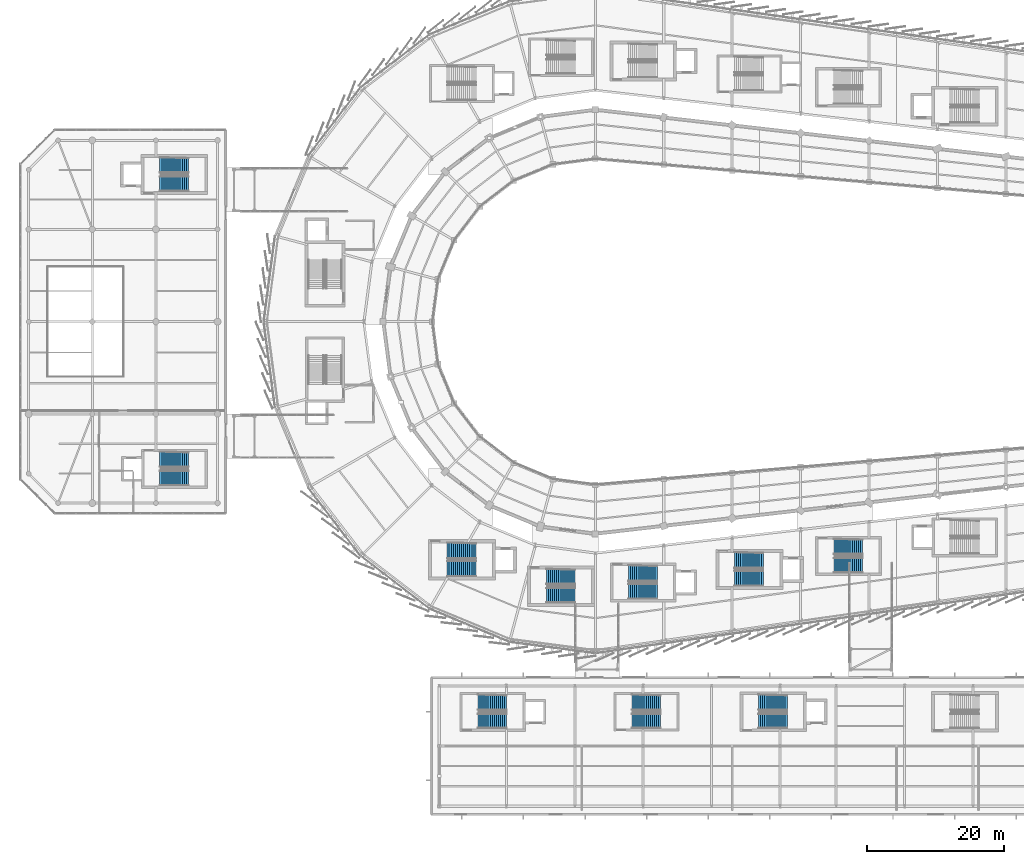
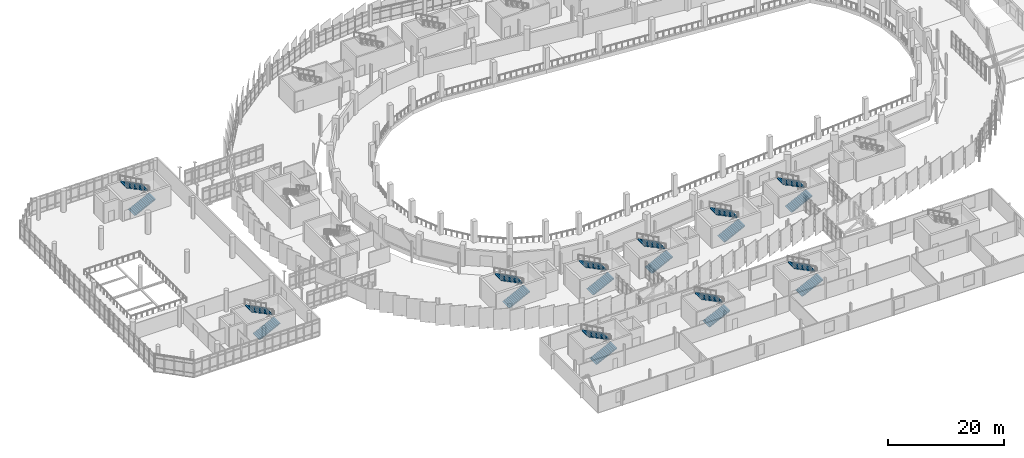
# One storey, part 110 of 125: 20 stair flights, 10 elements without a shape of their own.
"""IFC4 building model written with IfcOpenShell, lengths in metres."""

from ifc_helpers import new_model, si_unit, direction, frame, origin, place, context, subcontext, project, spatial, polyline, outline, extrude, material, type_object, element, aggregate, save


model = new_model("IFC4")

# Units and contexts
model_context = context("Model", 3, precision=1e-05, world=origin(), true_north=direction((0.0, 1.0)))
body_context = subcontext(model_context, "Body", "Model", "MODEL_VIEW")
ifc_project = project(units=[si_unit("LENGTHUNIT", "METRE"), si_unit("AREAUNIT", "SQUARE_METRE"), si_unit("VOLUMEUNIT", "CUBIC_METRE"), si_unit("PLANEANGLEUNIT", "RADIAN"), si_unit("MASSUNIT", "GRAM", prefix="KILO")], contexts=[model_context])

# Site, building, storey
site_placement = place(None, origin())
site = spatial("IfcSite", under=ifc_project, at=site_placement, CompositionType="ELEMENT")
building_placement = place(site_placement, origin())
building = spatial("IfcBuilding", under=site, at=building_placement, Name="Sohan Crest Arena", CompositionType="ELEMENT")
storey_placement = place(building_placement, frame((0.0, 0.0, 9.0)))
storey = spatial("IfcBuildingStorey", under=building, at=storey_placement, Name="L02", CompositionType="ELEMENT", Elevation=9.0)

# Stair, stair flights
ifc_material = material(Name="Concrete C40/50", Category="concrete")
stair_type_1 = type_object("IfcStairType", Name="ST-450W", PredefinedType="TWO_STRAIGHT_RUN_STAIR", material=ifc_material)
stair_1_placement = place(storey_placement, origin())
stair_1 = element("IfcStair", 1, at=stair_1_placement, inside=storey, type_object=stair_type_1, Name="Protected exit stair ST12-L02", PredefinedType="TWO_STRAIGHT_RUN_STAIR")
stair_flight_type_1 = type_object("IfcStairFlightType", Name="FL-220-15", PredefinedType="STRAIGHT", material=ifc_material)
stair_flight_1_placement = place(storey_placement, frame((103.35009765625, 19.64990234375, 0.0), z_axis=(0.0, 0.0, 1.0), x_axis=(1.0, 0.0, 0.0)))
stair_flight_1 = element("IfcStairFlight", 2, at=stair_flight_1_placement, type_object=stair_flight_type_1, Name="ST12-L02 flight 1", NumberOfRisers=15, NumberOfTreads=14, PredefinedType="STRAIGHT", RiserHeight=0.15, TreadLength=0.3, context=body_context, shape_type="SweptSolid", body=[
    extrude(outline(polyline([(0.0, 0.0), (0.0, 0.14990234375), (0.300048828125, 0.14990234375), (0.300048828125, 0.300048828125), (0.60009765625, 0.300048828125), (0.60009765625, 0.449951171875), (0.89990234375, 0.449951171875), (0.89990234375, 0.60009765625), (1.199951171875, 0.60009765625), (1.199951171875, 0.75), (1.5, 0.75), (1.5, 0.89990234375), (1.800048828125, 0.89990234375), (1.800048828125, 1.050048828125), (2.10009765625, 1.050048828125), (2.10009765625, 1.199951171875), (2.39990234375, 1.199951171875), (2.39990234375, 1.35009765625), (2.699951171875, 1.35009765625), (2.699951171875, 1.5), (3.0, 1.5), (3.0, 1.64990234375), (3.300048828125, 1.64990234375), (3.300048828125, 1.800048828125), (3.60009765625, 1.800048828125), (3.60009765625, 1.949951171875), (3.89990234375, 1.949951171875), (3.89990234375, 2.10009765625), (4.199951171875, 2.10009765625), (4.199951171875, 2.25), (4.199951171875, 1.932373046875), (0.335205078125, 0.0), (0.0, 0.0)])), frame((0.0, 1.10009765625, 0.0), z_axis=(0.0, -1.0, 0.0), x_axis=(1.0, 0.0, 0.0)), (0.0, 0.0, 1.0), 2.199951171875),
])
stair_flight_2_placement = place(storey_placement, frame((107.550048828125, 22.35009765625, 2.25), z_axis=(0.0, 0.0, 1.0), x_axis=(-1.0, 0.0, 0.0)))
stair_flight_2 = element("IfcStairFlight", 3, at=stair_flight_2_placement, type_object=stair_flight_type_1, Name="ST12-L02 flight 2", NumberOfRisers=15, NumberOfTreads=14, PredefinedType="STRAIGHT", RiserHeight=0.15, TreadLength=0.3, context=body_context, shape_type="SweptSolid", body=[
    extrude(outline(polyline([(0.0, 0.0), (0.0, 0.14990234375), (0.300048828125, 0.14990234375), (0.300048828125, 0.300048828125), (0.60009765625, 0.300048828125), (0.60009765625, 0.449951171875), (0.89990234375, 0.449951171875), (0.89990234375, 0.60009765625), (1.199951171875, 0.60009765625), (1.199951171875, 0.75), (1.5, 0.75), (1.5, 0.89990234375), (1.800048828125, 0.89990234375), (1.800048828125, 1.050048828125), (2.10009765625, 1.050048828125), (2.10009765625, 1.199951171875), (2.39990234375, 1.199951171875), (2.39990234375, 1.35009765625), (2.699951171875, 1.35009765625), (2.699951171875, 1.5), (3.0, 1.5), (3.0, 1.64990234375), (3.300048828125, 1.64990234375), (3.300048828125, 1.800048828125), (3.60009765625, 1.800048828125), (3.60009765625, 1.949951171875), (3.89990234375, 1.949951171875), (3.89990234375, 2.10009765625), (4.199951171875, 2.10009765625), (4.199951171875, 2.25), (4.199951171875, 1.932373046875), (0.335205078125, 0.0), (0.0, 0.0)])), frame((0.0, 1.10009765625, 0.0), z_axis=(0.0, -1.0, 0.0), x_axis=(1.0, 0.0, 0.0)), (0.0, 0.0, 1.0), 2.199951171875),
])
aggregate(stair_1, [stair_flight_1, stair_flight_2])

stair_2_placement = place(storey_placement, origin())
stair_2 = element("IfcStair", 4, at=stair_2_placement, inside=storey, type_object=stair_type_1, Name="Protected exit stair ST13-L02", PredefinedType="TWO_STRAIGHT_RUN_STAIR")
stair_flight_3_placement = place(storey_placement, frame((34.35009765625, 55.14990234375, 0.0), z_axis=(0.0, 0.0, 1.0), x_axis=(1.0, 0.0, 0.0)))
stair_flight_3 = element("IfcStairFlight", 5, at=stair_flight_3_placement, type_object=stair_flight_type_1, Name="ST13-L02 flight 1", NumberOfRisers=15, NumberOfTreads=14, PredefinedType="STRAIGHT", RiserHeight=0.15, TreadLength=0.3, context=body_context, shape_type="SweptSolid", body=[
    extrude(outline(polyline([(0.0, 0.0), (0.0, 0.14990234375), (0.300048828125, 0.14990234375), (0.300048828125, 0.300048828125), (0.60009765625, 0.300048828125), (0.60009765625, 0.449951171875), (0.89990234375, 0.449951171875), (0.89990234375, 0.60009765625), (1.199951171875, 0.60009765625), (1.199951171875, 0.75), (1.5, 0.75), (1.5, 0.89990234375), (1.800048828125, 0.89990234375), (1.800048828125, 1.050048828125), (2.10009765625, 1.050048828125), (2.10009765625, 1.199951171875), (2.39990234375, 1.199951171875), (2.39990234375, 1.35009765625), (2.699951171875, 1.35009765625), (2.699951171875, 1.5), (3.0, 1.5), (3.0, 1.64990234375), (3.300048828125, 1.64990234375), (3.300048828125, 1.800048828125), (3.60009765625, 1.800048828125), (3.60009765625, 1.949951171875), (3.89990234375, 1.949951171875), (3.89990234375, 2.10009765625), (4.199951171875, 2.10009765625), (4.199951171875, 2.25), (4.199951171875, 1.932373046875), (0.335205078125, 0.0), (0.0, 0.0)])), frame((0.0, 1.10009765625, 0.0), z_axis=(0.0, -1.0, 0.0), x_axis=(1.0, 0.0, 0.0)), (0.0, 0.0, 1.0), 2.199951171875),
])
stair_flight_4_placement = place(storey_placement, frame((38.550048828125, 57.85009765625, 2.25), z_axis=(0.0, 0.0, 1.0), x_axis=(-1.0, 0.0, 0.0)))
stair_flight_4 = element("IfcStairFlight", 6, at=stair_flight_4_placement, type_object=stair_flight_type_1, Name="ST13-L02 flight 2", NumberOfRisers=15, NumberOfTreads=14, PredefinedType="STRAIGHT", RiserHeight=0.15, TreadLength=0.3, context=body_context, shape_type="SweptSolid", body=[
    extrude(outline(polyline([(0.0, 0.0), (0.0, 0.14990234375), (0.300048828125, 0.14990234375), (0.300048828125, 0.300048828125), (0.60009765625, 0.300048828125), (0.60009765625, 0.449951171875), (0.89990234375, 0.449951171875), (0.89990234375, 0.60009765625), (1.199951171875, 0.60009765625), (1.199951171875, 0.75), (1.5, 0.75), (1.5, 0.89990234375), (1.800048828125, 0.89990234375), (1.800048828125, 1.050048828125), (2.10009765625, 1.050048828125), (2.10009765625, 1.199951171875), (2.39990234375, 1.199951171875), (2.39990234375, 1.35009765625), (2.699951171875, 1.35009765625), (2.699951171875, 1.5), (3.0, 1.5), (3.0, 1.64990234375), (3.300048828125, 1.64990234375), (3.300048828125, 1.800048828125), (3.60009765625, 1.800048828125), (3.60009765625, 1.949951171875), (3.89990234375, 1.949951171875), (3.89990234375, 2.10009765625), (4.199951171875, 2.10009765625), (4.199951171875, 2.25), (4.199951171875, 1.932373046875), (0.335205078125, 0.0), (0.0, 0.0)])), frame((0.0, 1.10009765625, 0.0), z_axis=(0.0, -1.0, 0.0), x_axis=(1.0, 0.0, 0.0)), (0.0, 0.0, 1.0), 2.199951171875),
])
aggregate(stair_2, [stair_flight_3, stair_flight_4])

stair_3_placement = place(storey_placement, origin())
stair_3 = element("IfcStair", 7, at=stair_3_placement, inside=storey, type_object=stair_type_1, Name="Protected exit stair ST14-L02", PredefinedType="TWO_STRAIGHT_RUN_STAIR")
stair_flight_5_placement = place(storey_placement, frame((34.35009765625, 98.14990234375, 0.0), z_axis=(0.0, 0.0, 1.0), x_axis=(1.0, 0.0, 0.0)))
stair_flight_5 = element("IfcStairFlight", 8, at=stair_flight_5_placement, type_object=stair_flight_type_1, Name="ST14-L02 flight 1", NumberOfRisers=15, NumberOfTreads=14, PredefinedType="STRAIGHT", RiserHeight=0.15, TreadLength=0.3, context=body_context, shape_type="SweptSolid", body=[
    extrude(outline(polyline([(0.0, 0.0), (0.0, 0.14990234375), (0.300048828125, 0.14990234375), (0.300048828125, 0.300048828125), (0.60009765625, 0.300048828125), (0.60009765625, 0.449951171875), (0.89990234375, 0.449951171875), (0.89990234375, 0.60009765625), (1.199951171875, 0.60009765625), (1.199951171875, 0.75), (1.5, 0.75), (1.5, 0.89990234375), (1.800048828125, 0.89990234375), (1.800048828125, 1.050048828125), (2.10009765625, 1.050048828125), (2.10009765625, 1.199951171875), (2.39990234375, 1.199951171875), (2.39990234375, 1.35009765625), (2.699951171875, 1.35009765625), (2.699951171875, 1.5), (3.0, 1.5), (3.0, 1.64990234375), (3.300048828125, 1.64990234375), (3.300048828125, 1.800048828125), (3.60009765625, 1.800048828125), (3.60009765625, 1.949951171875), (3.89990234375, 1.949951171875), (3.89990234375, 2.10009765625), (4.199951171875, 2.10009765625), (4.199951171875, 2.25), (4.199951171875, 1.932373046875), (0.335205078125, 0.0), (0.0, 0.0)])), frame((0.0, 1.10009765625, 0.0), z_axis=(0.0, -1.0, 0.0), x_axis=(1.0, 0.0, 0.0)), (0.0, 0.0, 1.0), 2.199951171875),
])
stair_flight_6_placement = place(storey_placement, frame((38.550048828125, 100.85009765625, 2.25), z_axis=(0.0, 0.0, 1.0), x_axis=(-1.0, 0.0, 0.0)))
stair_flight_6 = element("IfcStairFlight", 9, at=stair_flight_6_placement, type_object=stair_flight_type_1, Name="ST14-L02 flight 2", NumberOfRisers=15, NumberOfTreads=14, PredefinedType="STRAIGHT", RiserHeight=0.15, TreadLength=0.3, context=body_context, shape_type="SweptSolid", body=[
    extrude(outline(polyline([(0.0, 0.0), (0.0, 0.14990234375), (0.300048828125, 0.14990234375), (0.300048828125, 0.300048828125), (0.60009765625, 0.300048828125), (0.60009765625, 0.449951171875), (0.89990234375, 0.449951171875), (0.89990234375, 0.60009765625), (1.199951171875, 0.60009765625), (1.199951171875, 0.75), (1.5, 0.75), (1.5, 0.89990234375), (1.800048828125, 0.89990234375), (1.800048828125, 1.050048828125), (2.10009765625, 1.050048828125), (2.10009765625, 1.199951171875), (2.39990234375, 1.199951171875), (2.39990234375, 1.35009765625), (2.699951171875, 1.35009765625), (2.699951171875, 1.5), (3.0, 1.5), (3.0, 1.64990234375), (3.300048828125, 1.64990234375), (3.300048828125, 1.800048828125), (3.60009765625, 1.800048828125), (3.60009765625, 1.949951171875), (3.89990234375, 1.949951171875), (3.89990234375, 2.10009765625), (4.199951171875, 2.10009765625), (4.199951171875, 2.25), (4.199951171875, 1.932373046875), (0.335205078125, 0.0), (0.0, 0.0)])), frame((0.0, 1.10009765625, 0.0), z_axis=(0.0, -1.0, 0.0), x_axis=(1.0, 0.0, 0.0)), (0.0, 0.0, 1.0), 2.199951171875),
])
aggregate(stair_3, [stair_flight_5, stair_flight_6])

stair_4_placement = place(storey_placement, origin())
stair_4 = element("IfcStair", 10, at=stair_4_placement, inside=storey, type_object=stair_type_1, Name="Protected exit stair ST17-L02", PredefinedType="TWO_STRAIGHT_RUN_STAIR")
stair_flight_7_placement = place(storey_placement, frame((80.85009765625, 19.64990234375, 0.0), z_axis=(0.0, 0.0, 1.0), x_axis=(1.0, 0.0, 0.0)))
stair_flight_7 = element("IfcStairFlight", 11, at=stair_flight_7_placement, type_object=stair_flight_type_1, Name="ST17-L02 flight 1", NumberOfRisers=15, NumberOfTreads=14, PredefinedType="STRAIGHT", RiserHeight=0.15, TreadLength=0.3, context=body_context, shape_type="SweptSolid", body=[
    extrude(outline(polyline([(0.0, 0.0), (0.0, 0.14990234375), (0.300048828125, 0.14990234375), (0.300048828125, 0.300048828125), (0.60009765625, 0.300048828125), (0.60009765625, 0.449951171875), (0.89990234375, 0.449951171875), (0.89990234375, 0.60009765625), (1.199951171875, 0.60009765625), (1.199951171875, 0.75), (1.5, 0.75), (1.5, 0.89990234375), (1.800048828125, 0.89990234375), (1.800048828125, 1.050048828125), (2.10009765625, 1.050048828125), (2.10009765625, 1.199951171875), (2.39990234375, 1.199951171875), (2.39990234375, 1.35009765625), (2.699951171875, 1.35009765625), (2.699951171875, 1.5), (3.0, 1.5), (3.0, 1.64990234375), (3.300048828125, 1.64990234375), (3.300048828125, 1.800048828125), (3.60009765625, 1.800048828125), (3.60009765625, 1.949951171875), (3.89990234375, 1.949951171875), (3.89990234375, 2.10009765625), (4.199951171875, 2.10009765625), (4.199951171875, 2.25), (4.199951171875, 1.932373046875), (0.335205078125, 0.0), (0.0, 0.0)])), frame((0.0, 1.10009765625, 0.0), z_axis=(0.0, -1.0, 0.0), x_axis=(1.0, 0.0, 0.0)), (0.0, 0.0, 1.0), 2.199951171875),
])
stair_flight_8_placement = place(storey_placement, frame((85.050048828125, 22.35009765625, 2.25), z_axis=(0.0, 0.0, 1.0), x_axis=(-1.0, 0.0, 0.0)))
stair_flight_8 = element("IfcStairFlight", 12, at=stair_flight_8_placement, type_object=stair_flight_type_1, Name="ST17-L02 flight 2", NumberOfRisers=15, NumberOfTreads=14, PredefinedType="STRAIGHT", RiserHeight=0.15, TreadLength=0.3, context=body_context, shape_type="SweptSolid", body=[
    extrude(outline(polyline([(0.0, 0.0), (0.0, 0.14990234375), (0.300048828125, 0.14990234375), (0.300048828125, 0.300048828125), (0.60009765625, 0.300048828125), (0.60009765625, 0.449951171875), (0.89990234375, 0.449951171875), (0.89990234375, 0.60009765625), (1.199951171875, 0.60009765625), (1.199951171875, 0.75), (1.5, 0.75), (1.5, 0.89990234375), (1.800048828125, 0.89990234375), (1.800048828125, 1.050048828125), (2.10009765625, 1.050048828125), (2.10009765625, 1.199951171875), (2.39990234375, 1.199951171875), (2.39990234375, 1.35009765625), (2.699951171875, 1.35009765625), (2.699951171875, 1.5), (3.0, 1.5), (3.0, 1.64990234375), (3.300048828125, 1.64990234375), (3.300048828125, 1.800048828125), (3.60009765625, 1.800048828125), (3.60009765625, 1.949951171875), (3.89990234375, 1.949951171875), (3.89990234375, 2.10009765625), (4.199951171875, 2.10009765625), (4.199951171875, 2.25), (4.199951171875, 1.932373046875), (0.335205078125, 0.0), (0.0, 0.0)])), frame((0.0, 1.10009765625, 0.0), z_axis=(0.0, -1.0, 0.0), x_axis=(1.0, 0.0, 0.0)), (0.0, 0.0, 1.0), 2.199951171875),
])
aggregate(stair_4, [stair_flight_7, stair_flight_8])

stair_5_placement = place(storey_placement, origin())
stair_5 = element("IfcStair", 13, at=stair_5_placement, inside=storey, type_object=stair_type_1, Name="Protected exit stair ST18-L02", PredefinedType="TWO_STRAIGHT_RUN_STAIR")
stair_flight_9_placement = place(storey_placement, frame((121.85009765625, 19.64990234375, 0.0), z_axis=(0.0, 0.0, 1.0), x_axis=(1.0, 0.0, 0.0)))
stair_flight_9 = element("IfcStairFlight", 14, at=stair_flight_9_placement, type_object=stair_flight_type_1, Name="ST18-L02 flight 1", NumberOfRisers=15, NumberOfTreads=14, PredefinedType="STRAIGHT", RiserHeight=0.15, TreadLength=0.3, context=body_context, shape_type="SweptSolid", body=[
    extrude(outline(polyline([(0.0, 0.0), (0.0, 0.14990234375), (0.300048828125, 0.14990234375), (0.300048828125, 0.300048828125), (0.60009765625, 0.300048828125), (0.60009765625, 0.449951171875), (0.89990234375, 0.449951171875), (0.89990234375, 0.60009765625), (1.199951171875, 0.60009765625), (1.199951171875, 0.75), (1.5, 0.75), (1.5, 0.89990234375), (1.800048828125, 0.89990234375), (1.800048828125, 1.050048828125), (2.10009765625, 1.050048828125), (2.10009765625, 1.199951171875), (2.39990234375, 1.199951171875), (2.39990234375, 1.35009765625), (2.699951171875, 1.35009765625), (2.699951171875, 1.5), (3.0, 1.5), (3.0, 1.64990234375), (3.300048828125, 1.64990234375), (3.300048828125, 1.800048828125), (3.60009765625, 1.800048828125), (3.60009765625, 1.949951171875), (3.89990234375, 1.949951171875), (3.89990234375, 2.10009765625), (4.199951171875, 2.10009765625), (4.199951171875, 2.25), (4.199951171875, 1.932373046875), (0.335205078125, 0.0), (0.0, 0.0)])), frame((0.0, 1.10009765625, 0.0), z_axis=(0.0, -1.0, 0.0), x_axis=(1.0, 0.0, 0.0)), (0.0, 0.0, 1.0), 2.199951171875),
])
stair_flight_10_placement = place(storey_placement, frame((126.050048828125, 22.35009765625, 2.25), z_axis=(0.0, 0.0, 1.0), x_axis=(-1.0, 0.0, 0.0)))
stair_flight_10 = element("IfcStairFlight", 15, at=stair_flight_10_placement, type_object=stair_flight_type_1, Name="ST18-L02 flight 2", NumberOfRisers=15, NumberOfTreads=14, PredefinedType="STRAIGHT", RiserHeight=0.15, TreadLength=0.3, context=body_context, shape_type="SweptSolid", body=[
    extrude(outline(polyline([(0.0, 0.0), (0.0, 0.14990234375), (0.300048828125, 0.14990234375), (0.300048828125, 0.300048828125), (0.60009765625, 0.300048828125), (0.60009765625, 0.449951171875), (0.89990234375, 0.449951171875), (0.89990234375, 0.60009765625), (1.199951171875, 0.60009765625), (1.199951171875, 0.75), (1.5, 0.75), (1.5, 0.89990234375), (1.800048828125, 0.89990234375), (1.800048828125, 1.050048828125), (2.10009765625, 1.050048828125), (2.10009765625, 1.199951171875), (2.39990234375, 1.199951171875), (2.39990234375, 1.35009765625), (2.699951171875, 1.35009765625), (2.699951171875, 1.5), (3.0, 1.5), (3.0, 1.64990234375), (3.300048828125, 1.64990234375), (3.300048828125, 1.800048828125), (3.60009765625, 1.800048828125), (3.60009765625, 1.949951171875), (3.89990234375, 1.949951171875), (3.89990234375, 2.10009765625), (4.199951171875, 2.10009765625), (4.199951171875, 2.25), (4.199951171875, 1.932373046875), (0.335205078125, 0.0), (0.0, 0.0)])), frame((0.0, 1.10009765625, 0.0), z_axis=(0.0, -1.0, 0.0), x_axis=(1.0, 0.0, 0.0)), (0.0, 0.0, 1.0), 2.199951171875),
])
aggregate(stair_5, [stair_flight_9, stair_flight_10])

stair_6_placement = place(storey_placement, origin())
stair_6 = element("IfcStair", 16, at=stair_6_placement, inside=storey, type_object=stair_type_1, Name="Protected exit stair ST19-L02", PredefinedType="TWO_STRAIGHT_RUN_STAIR")
stair_flight_11_placement = place(storey_placement, frame((90.85009765625, 38.010009765625, 0.0), z_axis=(0.0, 0.0, 1.0), x_axis=(1.0, 0.0, 0.0)))
stair_flight_11 = element("IfcStairFlight", 17, at=stair_flight_11_placement, type_object=stair_flight_type_1, Name="ST19-L02 flight 1", NumberOfRisers=15, NumberOfTreads=14, PredefinedType="STRAIGHT", RiserHeight=0.15, TreadLength=0.3, context=body_context, shape_type="SweptSolid", body=[
    extrude(outline(polyline([(0.0, 0.0), (0.0, 0.14990234375), (0.300048828125, 0.14990234375), (0.300048828125, 0.300048828125), (0.60009765625, 0.300048828125), (0.60009765625, 0.449951171875), (0.89990234375, 0.449951171875), (0.89990234375, 0.60009765625), (1.199951171875, 0.60009765625), (1.199951171875, 0.75), (1.5, 0.75), (1.5, 0.89990234375), (1.800048828125, 0.89990234375), (1.800048828125, 1.050048828125), (2.10009765625, 1.050048828125), (2.10009765625, 1.199951171875), (2.39990234375, 1.199951171875), (2.39990234375, 1.35009765625), (2.699951171875, 1.35009765625), (2.699951171875, 1.5), (3.0, 1.5), (3.0, 1.64990234375), (3.300048828125, 1.64990234375), (3.300048828125, 1.800048828125), (3.60009765625, 1.800048828125), (3.60009765625, 1.949951171875), (3.89990234375, 1.949951171875), (3.89990234375, 2.10009765625), (4.199951171875, 2.10009765625), (4.199951171875, 2.25), (4.199951171875, 1.932373046875), (0.335205078125, 0.0), (0.0, 0.0)])), frame((0.0, 1.10009765625, 0.0), z_axis=(0.0, -1.0, 0.0), x_axis=(1.0, 0.0, 0.0)), (0.0, 0.0, 1.0), 2.199951171875),
])
stair_flight_12_placement = place(storey_placement, frame((95.050048828125, 40.7099609375, 2.25), z_axis=(0.0, 0.0, 1.0), x_axis=(-1.0, 0.0, 0.0)))
stair_flight_12 = element("IfcStairFlight", 18, at=stair_flight_12_placement, type_object=stair_flight_type_1, Name="ST19-L02 flight 2", NumberOfRisers=15, NumberOfTreads=14, PredefinedType="STRAIGHT", RiserHeight=0.15, TreadLength=0.3, context=body_context, shape_type="SweptSolid", body=[
    extrude(outline(polyline([(0.0, 0.0), (0.0, 0.14990234375), (0.300048828125, 0.14990234375), (0.300048828125, 0.300048828125), (0.60009765625, 0.300048828125), (0.60009765625, 0.449951171875), (0.89990234375, 0.449951171875), (0.89990234375, 0.60009765625), (1.199951171875, 0.60009765625), (1.199951171875, 0.75), (1.5, 0.75), (1.5, 0.89990234375), (1.800048828125, 0.89990234375), (1.800048828125, 1.050048828125), (2.10009765625, 1.050048828125), (2.10009765625, 1.199951171875), (2.39990234375, 1.199951171875), (2.39990234375, 1.35009765625), (2.699951171875, 1.35009765625), (2.699951171875, 1.5), (3.0, 1.5), (3.0, 1.64990234375), (3.300048828125, 1.64990234375), (3.300048828125, 1.800048828125), (3.60009765625, 1.800048828125), (3.60009765625, 1.949951171875), (3.89990234375, 1.949951171875), (3.89990234375, 2.10009765625), (4.199951171875, 2.10009765625), (4.199951171875, 2.25), (4.199951171875, 1.932373046875), (0.335205078125, 0.0), (0.0, 0.0)])), frame((0.0, 1.10009765625, 0.0), z_axis=(0.0, -1.0, 0.0), x_axis=(1.0, 0.0, 0.0)), (0.0, 0.0, 1.0), 2.199951171875),
])
aggregate(stair_6, [stair_flight_11, stair_flight_12])

stair_7_placement = place(storey_placement, origin())
stair_7 = element("IfcStair", 19, at=stair_7_placement, inside=storey, type_object=stair_type_1, Name="Protected exit stair ST21-L02", PredefinedType="TWO_STRAIGHT_RUN_STAIR")
stair_flight_13_placement = place(storey_placement, frame((132.85009765625, 42.39990234375, 0.0), z_axis=(0.0, 0.0, 1.0), x_axis=(1.0, 0.0, 0.0)))
stair_flight_13 = element("IfcStairFlight", 20, at=stair_flight_13_placement, type_object=stair_flight_type_1, Name="ST21-L02 flight 1", NumberOfRisers=15, NumberOfTreads=14, PredefinedType="STRAIGHT", RiserHeight=0.15, TreadLength=0.3, context=body_context, shape_type="SweptSolid", body=[
    extrude(outline(polyline([(0.0, 0.0), (0.0, 0.14990234375), (0.300048828125, 0.14990234375), (0.300048828125, 0.300048828125), (0.60009765625, 0.300048828125), (0.60009765625, 0.449951171875), (0.89990234375, 0.449951171875), (0.89990234375, 0.60009765625), (1.199951171875, 0.60009765625), (1.199951171875, 0.75), (1.5, 0.75), (1.5, 0.89990234375), (1.800048828125, 0.89990234375), (1.800048828125, 1.050048828125), (2.10009765625, 1.050048828125), (2.10009765625, 1.199951171875), (2.39990234375, 1.199951171875), (2.39990234375, 1.35009765625), (2.699951171875, 1.35009765625), (2.699951171875, 1.5), (3.0, 1.5), (3.0, 1.64990234375), (3.300048828125, 1.64990234375), (3.300048828125, 1.800048828125), (3.60009765625, 1.800048828125), (3.60009765625, 1.949951171875), (3.89990234375, 1.949951171875), (3.89990234375, 2.10009765625), (4.199951171875, 2.10009765625), (4.199951171875, 2.25), (4.199951171875, 1.932373046875), (0.335205078125, 0.0), (0.0, 0.0)])), frame((0.0, 1.10009765625, 0.0), z_axis=(0.0, -1.0, 0.0), x_axis=(1.0, 0.0, 0.0)), (0.0, 0.0, 1.0), 2.199951171875),
])
stair_flight_14_placement = place(storey_placement, frame((137.050048828125, 45.10009765625, 2.25), z_axis=(0.0, 0.0, 1.0), x_axis=(-1.0, 0.0, 0.0)))
stair_flight_14 = element("IfcStairFlight", 21, at=stair_flight_14_placement, type_object=stair_flight_type_1, Name="ST21-L02 flight 2", NumberOfRisers=15, NumberOfTreads=14, PredefinedType="STRAIGHT", RiserHeight=0.15, TreadLength=0.3, context=body_context, shape_type="SweptSolid", body=[
    extrude(outline(polyline([(0.0, 0.0), (0.0, 0.14990234375), (0.300048828125, 0.14990234375), (0.300048828125, 0.300048828125), (0.60009765625, 0.300048828125), (0.60009765625, 0.449951171875), (0.89990234375, 0.449951171875), (0.89990234375, 0.60009765625), (1.199951171875, 0.60009765625), (1.199951171875, 0.75), (1.5, 0.75), (1.5, 0.89990234375), (1.800048828125, 0.89990234375), (1.800048828125, 1.050048828125), (2.10009765625, 1.050048828125), (2.10009765625, 1.199951171875), (2.39990234375, 1.199951171875), (2.39990234375, 1.35009765625), (2.699951171875, 1.35009765625), (2.699951171875, 1.5), (3.0, 1.5), (3.0, 1.64990234375), (3.300048828125, 1.64990234375), (3.300048828125, 1.800048828125), (3.60009765625, 1.800048828125), (3.60009765625, 1.949951171875), (3.89990234375, 1.949951171875), (3.89990234375, 2.10009765625), (4.199951171875, 2.10009765625), (4.199951171875, 2.25), (4.199951171875, 1.932373046875), (0.335205078125, 0.0), (0.0, 0.0)])), frame((0.0, 1.10009765625, 0.0), z_axis=(0.0, -1.0, 0.0), x_axis=(1.0, 0.0, 0.0)), (0.0, 0.0, 1.0), 2.199951171875),
])
aggregate(stair_7, [stair_flight_13, stair_flight_14])

stair_type_2 = type_object("IfcStairType", Name="ST-450", PredefinedType="TWO_STRAIGHT_RUN_STAIR", material=ifc_material)
stair_8_placement = place(storey_placement, origin())
stair_8 = element("IfcStair", 22, at=stair_8_placement, inside=storey, type_object=stair_type_2, Name="Protected exit stair ST03-L02", PredefinedType="TWO_STRAIGHT_RUN_STAIR")
stair_flight_type_2 = type_object("IfcStairFlightType", Name="FL-260-15", PredefinedType="STRAIGHT", material=ifc_material)
stair_flight_15_placement = place(storey_placement, frame((76.35009765625, 41.89990234375, 0.0), z_axis=(0.0, 0.0, 1.0), x_axis=(1.0, 0.0, 0.0)))
stair_flight_15 = element("IfcStairFlight", 23, at=stair_flight_15_placement, type_object=stair_flight_type_2, Name="ST03-L02 flight 1", NumberOfRisers=15, NumberOfTreads=14, PredefinedType="STRAIGHT", RiserHeight=0.15, TreadLength=0.3, context=body_context, shape_type="SweptSolid", body=[
    extrude(outline(polyline([(0.0, 0.0), (0.0, 0.14990234375), (0.300048828125, 0.14990234375), (0.300048828125, 0.300048828125), (0.60009765625, 0.300048828125), (0.60009765625, 0.449951171875), (0.89990234375, 0.449951171875), (0.89990234375, 0.60009765625), (1.199951171875, 0.60009765625), (1.199951171875, 0.75), (1.5, 0.75), (1.5, 0.89990234375), (1.800048828125, 0.89990234375), (1.800048828125, 1.050048828125), (2.10009765625, 1.050048828125), (2.10009765625, 1.199951171875), (2.39990234375, 1.199951171875), (2.39990234375, 1.35009765625), (2.699951171875, 1.35009765625), (2.699951171875, 1.5), (3.0, 1.5), (3.0, 1.64990234375), (3.300048828125, 1.64990234375), (3.300048828125, 1.800048828125), (3.60009765625, 1.800048828125), (3.60009765625, 1.949951171875), (3.89990234375, 1.949951171875), (3.89990234375, 2.10009765625), (4.199951171875, 2.10009765625), (4.199951171875, 2.25), (4.199951171875, 1.932373046875), (0.335205078125, 0.0), (0.0, 0.0)])), frame((0.0, 1.14990234375, 0.0), z_axis=(0.0, -1.0, 0.0), x_axis=(1.0, 0.0, 0.0)), (0.0, 0.0, 1.0), 2.300048828125),
])
stair_flight_16_placement = place(storey_placement, frame((80.550048828125, 44.5, 2.25), z_axis=(0.0, 0.0, 1.0), x_axis=(-1.0, 0.0, 0.0)))
stair_flight_16 = element("IfcStairFlight", 24, at=stair_flight_16_placement, type_object=stair_flight_type_2, Name="ST03-L02 flight 2", NumberOfRisers=15, NumberOfTreads=14, PredefinedType="STRAIGHT", RiserHeight=0.15, TreadLength=0.3, context=body_context, shape_type="SweptSolid", body=[
    extrude(outline(polyline([(0.0, 0.0), (0.0, 0.14990234375), (0.300048828125, 0.14990234375), (0.300048828125, 0.300048828125), (0.60009765625, 0.300048828125), (0.60009765625, 0.449951171875), (0.89990234375, 0.449951171875), (0.89990234375, 0.60009765625), (1.199951171875, 0.60009765625), (1.199951171875, 0.75), (1.5, 0.75), (1.5, 0.89990234375), (1.800048828125, 0.89990234375), (1.800048828125, 1.050048828125), (2.10009765625, 1.050048828125), (2.10009765625, 1.199951171875), (2.39990234375, 1.199951171875), (2.39990234375, 1.35009765625), (2.699951171875, 1.35009765625), (2.699951171875, 1.5), (3.0, 1.5), (3.0, 1.64990234375), (3.300048828125, 1.64990234375), (3.300048828125, 1.800048828125), (3.60009765625, 1.800048828125), (3.60009765625, 1.949951171875), (3.89990234375, 1.949951171875), (3.89990234375, 2.10009765625), (4.199951171875, 2.10009765625), (4.199951171875, 2.25), (4.199951171875, 1.932373046875), (0.335205078125, 0.0), (0.0, 0.0)])), frame((0.0, 1.14990234375, 0.0), z_axis=(0.0, -1.0, 0.0), x_axis=(1.0, 0.0, 0.0)), (0.0, 0.0, 1.0), 2.300048828125),
])
aggregate(stair_8, [stair_flight_15, stair_flight_16])

stair_9_placement = place(storey_placement, origin())
stair_9 = element("IfcStair", 25, at=stair_9_placement, inside=storey, type_object=stair_type_2, Name="Protected exit stair ST05-L02", PredefinedType="TWO_STRAIGHT_RUN_STAIR")
stair_flight_17_placement = place(storey_placement, frame((102.85009765625, 38.60009765625, 0.0), z_axis=(0.0, 0.0, 1.0), x_axis=(1.0, 0.0, 0.0)))
stair_flight_17 = element("IfcStairFlight", 26, at=stair_flight_17_placement, type_object=stair_flight_type_2, Name="ST05-L02 flight 1", NumberOfRisers=15, NumberOfTreads=14, PredefinedType="STRAIGHT", RiserHeight=0.15, TreadLength=0.3, context=body_context, shape_type="SweptSolid", body=[
    extrude(outline(polyline([(0.0, 0.0), (0.0, 0.14990234375), (0.300048828125, 0.14990234375), (0.300048828125, 0.300048828125), (0.60009765625, 0.300048828125), (0.60009765625, 0.449951171875), (0.89990234375, 0.449951171875), (0.89990234375, 0.60009765625), (1.199951171875, 0.60009765625), (1.199951171875, 0.75), (1.5, 0.75), (1.5, 0.89990234375), (1.800048828125, 0.89990234375), (1.800048828125, 1.050048828125), (2.10009765625, 1.050048828125), (2.10009765625, 1.199951171875), (2.39990234375, 1.199951171875), (2.39990234375, 1.35009765625), (2.699951171875, 1.35009765625), (2.699951171875, 1.5), (3.0, 1.5), (3.0, 1.64990234375), (3.300048828125, 1.64990234375), (3.300048828125, 1.800048828125), (3.60009765625, 1.800048828125), (3.60009765625, 1.949951171875), (3.89990234375, 1.949951171875), (3.89990234375, 2.10009765625), (4.199951171875, 2.10009765625), (4.199951171875, 2.25), (4.199951171875, 1.932373046875), (0.335205078125, 0.0), (0.0, 0.0)])), frame((0.0, 1.14990234375, 0.0), z_axis=(0.0, -1.0, 0.0), x_axis=(1.0, 0.0, 0.0)), (0.0, 0.0, 1.0), 2.300048828125),
])
stair_flight_18_placement = place(storey_placement, frame((107.050048828125, 41.199951171875, 2.25), z_axis=(0.0, 0.0, 1.0), x_axis=(-1.0, 0.0, 0.0)))
stair_flight_18 = element("IfcStairFlight", 27, at=stair_flight_18_placement, type_object=stair_flight_type_2, Name="ST05-L02 flight 2", NumberOfRisers=15, NumberOfTreads=14, PredefinedType="STRAIGHT", RiserHeight=0.15, TreadLength=0.3, context=body_context, shape_type="SweptSolid", body=[
    extrude(outline(polyline([(0.0, 0.0), (0.0, 0.14990234375), (0.300048828125, 0.14990234375), (0.300048828125, 0.300048828125), (0.60009765625, 0.300048828125), (0.60009765625, 0.449951171875), (0.89990234375, 0.449951171875), (0.89990234375, 0.60009765625), (1.199951171875, 0.60009765625), (1.199951171875, 0.75), (1.5, 0.75), (1.5, 0.89990234375), (1.800048828125, 0.89990234375), (1.800048828125, 1.050048828125), (2.10009765625, 1.050048828125), (2.10009765625, 1.199951171875), (2.39990234375, 1.199951171875), (2.39990234375, 1.35009765625), (2.699951171875, 1.35009765625), (2.699951171875, 1.5), (3.0, 1.5), (3.0, 1.64990234375), (3.300048828125, 1.64990234375), (3.300048828125, 1.800048828125), (3.60009765625, 1.800048828125), (3.60009765625, 1.949951171875), (3.89990234375, 1.949951171875), (3.89990234375, 2.10009765625), (4.199951171875, 2.10009765625), (4.199951171875, 2.25), (4.199951171875, 1.932373046875), (0.335205078125, 0.0), (0.0, 0.0)])), frame((0.0, 1.14990234375, 0.0), z_axis=(0.0, -1.0, 0.0), x_axis=(1.0, 0.0, 0.0)), (0.0, 0.0, 1.0), 2.300048828125),
])
aggregate(stair_9, [stair_flight_17, stair_flight_18])

stair_10_placement = place(storey_placement, origin())
stair_10 = element("IfcStair", 28, at=stair_10_placement, inside=storey, type_object=stair_type_2, Name="Protected exit stair ST07-L02", PredefinedType="TWO_STRAIGHT_RUN_STAIR")
stair_flight_19_placement = place(storey_placement, frame((118.35009765625, 40.5, 0.0), z_axis=(0.0, 0.0, 1.0), x_axis=(1.0, 0.0, 0.0)))
stair_flight_19 = element("IfcStairFlight", 29, at=stair_flight_19_placement, type_object=stair_flight_type_2, Name="ST07-L02 flight 1", NumberOfRisers=15, NumberOfTreads=14, PredefinedType="STRAIGHT", RiserHeight=0.15, TreadLength=0.3, context=body_context, shape_type="SweptSolid", body=[
    extrude(outline(polyline([(0.0, 0.0), (0.0, 0.14990234375), (0.300048828125, 0.14990234375), (0.300048828125, 0.300048828125), (0.60009765625, 0.300048828125), (0.60009765625, 0.449951171875), (0.89990234375, 0.449951171875), (0.89990234375, 0.60009765625), (1.199951171875, 0.60009765625), (1.199951171875, 0.75), (1.5, 0.75), (1.5, 0.89990234375), (1.800048828125, 0.89990234375), (1.800048828125, 1.050048828125), (2.10009765625, 1.050048828125), (2.10009765625, 1.199951171875), (2.39990234375, 1.199951171875), (2.39990234375, 1.35009765625), (2.699951171875, 1.35009765625), (2.699951171875, 1.5), (3.0, 1.5), (3.0, 1.64990234375), (3.300048828125, 1.64990234375), (3.300048828125, 1.800048828125), (3.60009765625, 1.800048828125), (3.60009765625, 1.949951171875), (3.89990234375, 1.949951171875), (3.89990234375, 2.10009765625), (4.199951171875, 2.10009765625), (4.199951171875, 2.25), (4.199951171875, 1.932373046875), (0.335205078125, 0.0), (0.0, 0.0)])), frame((0.0, 1.14990234375, 0.0), z_axis=(0.0, -1.0, 0.0), x_axis=(1.0, 0.0, 0.0)), (0.0, 0.0, 1.0), 2.300048828125),
])
stair_flight_20_placement = place(storey_placement, frame((122.550048828125, 43.10009765625, 2.25), z_axis=(0.0, 0.0, 1.0), x_axis=(-1.0, 0.0, 0.0)))
stair_flight_20 = element("IfcStairFlight", 30, at=stair_flight_20_placement, type_object=stair_flight_type_2, Name="ST07-L02 flight 2", NumberOfRisers=15, NumberOfTreads=14, PredefinedType="STRAIGHT", RiserHeight=0.15, TreadLength=0.3, context=body_context, shape_type="SweptSolid", body=[
    extrude(outline(polyline([(0.0, 0.0), (0.0, 0.14990234375), (0.300048828125, 0.14990234375), (0.300048828125, 0.300048828125), (0.60009765625, 0.300048828125), (0.60009765625, 0.449951171875), (0.89990234375, 0.449951171875), (0.89990234375, 0.60009765625), (1.199951171875, 0.60009765625), (1.199951171875, 0.75), (1.5, 0.75), (1.5, 0.89990234375), (1.800048828125, 0.89990234375), (1.800048828125, 1.050048828125), (2.10009765625, 1.050048828125), (2.10009765625, 1.199951171875), (2.39990234375, 1.199951171875), (2.39990234375, 1.35009765625), (2.699951171875, 1.35009765625), (2.699951171875, 1.5), (3.0, 1.5), (3.0, 1.64990234375), (3.300048828125, 1.64990234375), (3.300048828125, 1.800048828125), (3.60009765625, 1.800048828125), (3.60009765625, 1.949951171875), (3.89990234375, 1.949951171875), (3.89990234375, 2.10009765625), (4.199951171875, 2.10009765625), (4.199951171875, 2.25), (4.199951171875, 1.932373046875), (0.335205078125, 0.0), (0.0, 0.0)])), frame((0.0, 1.14990234375, 0.0), z_axis=(0.0, -1.0, 0.0), x_axis=(1.0, 0.0, 0.0)), (0.0, 0.0, 1.0), 2.300048828125),
])
aggregate(stair_10, [stair_flight_19, stair_flight_20])

save(model, "model.ifc")
